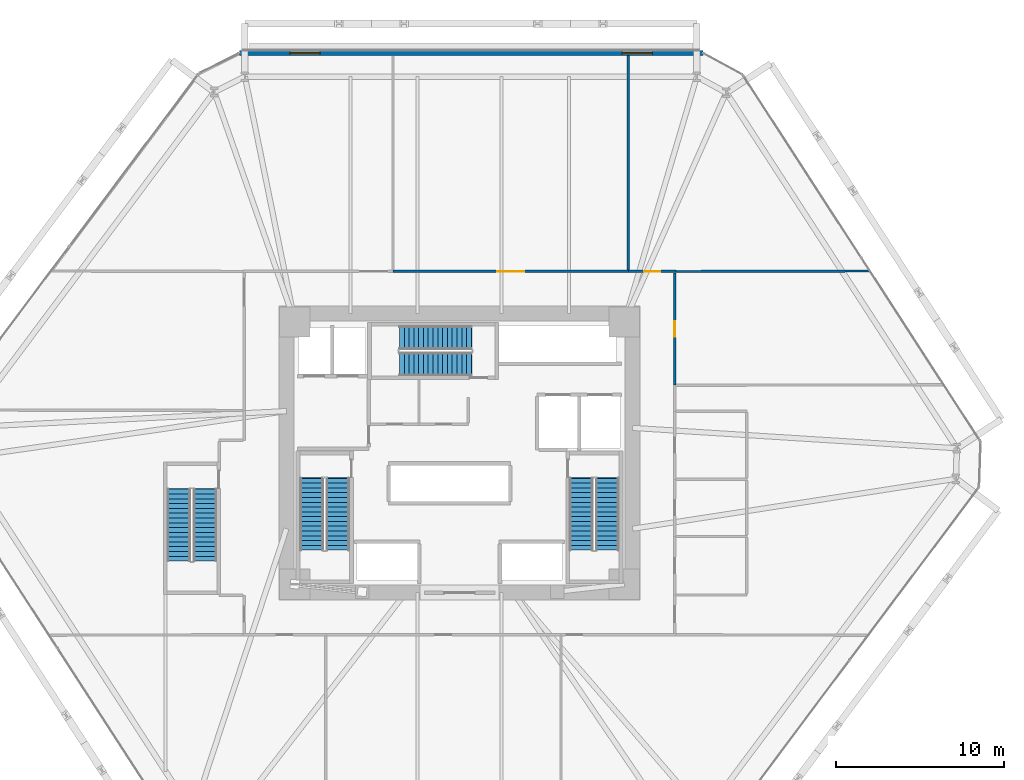
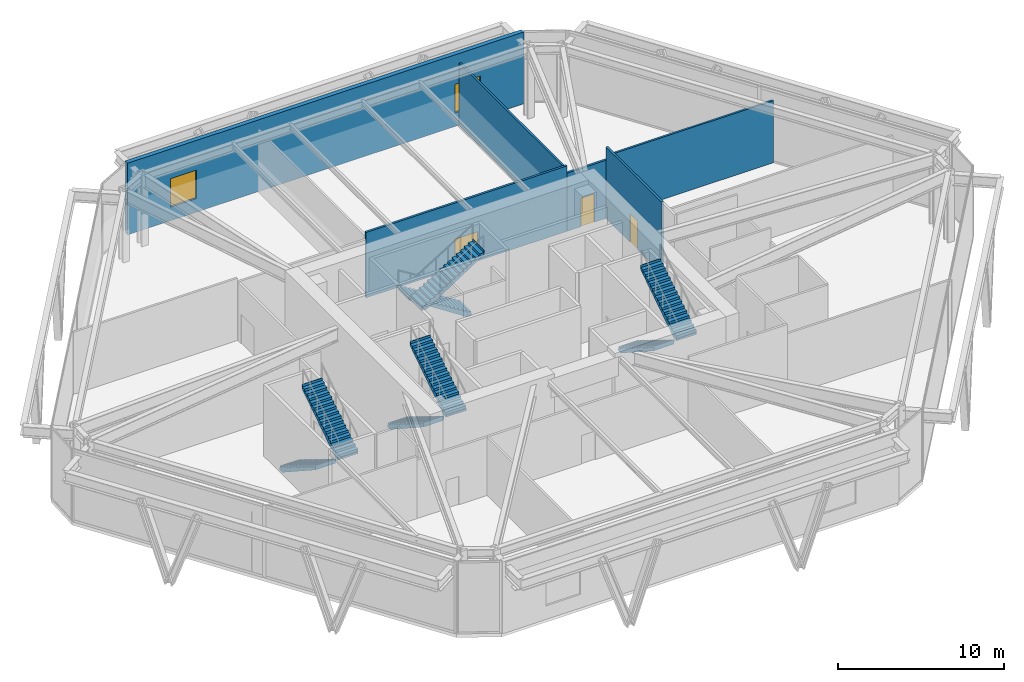
# One storey, part 16 of 19: 8 stair flights, 6 walls, 3 doors, 2 windows, 5 openings, 4 elements without a shape of their own.
"""IFC4 building model written with IfcOpenShell, lengths in metres."""

from ifc_helpers import new_model, si_unit, direction, frame, frame_2d, origin, place, context, subcontext, project, spatial, polyline, rectangle, outline, extrude, source, transform, mapped, material, layer, layer_set, type_object, type_shapes, element, fill, aggregate, save


model = new_model("IFC4")

# Units and contexts
model_context = context("Model", 3, precision=1e-05, world=origin(), true_north=direction((0.0, 1.0)))
body_context = subcontext(model_context, "Body", "Model", "MODEL_VIEW")
ifc_project = project(units=[si_unit("LENGTHUNIT", "METRE"), si_unit("AREAUNIT", "SQUARE_METRE"), si_unit("VOLUMEUNIT", "CUBIC_METRE"), si_unit("PLANEANGLEUNIT", "RADIAN"), si_unit("MASSUNIT", "GRAM", prefix="KILO")], contexts=[model_context])

# Site, building, storey
site_placement = place(None, origin())
site = spatial("IfcSite", under=ifc_project, at=site_placement, CompositionType="ELEMENT")
building_placement = place(site_placement, origin())
building = spatial("IfcBuilding", under=site, at=building_placement, Name="Durnholm Broadcast Tower", CompositionType="ELEMENT")
storey_placement = place(building_placement, frame((0.0, 0.0, 15.60009765625)))
storey = spatial("IfcBuildingStorey", under=building, at=storey_placement, Name="L03", CompositionType="ELEMENT", Elevation=15.60009765625)

# Wall, openings, windows
ifc_material_1 = material(Name="Precast Concrete C45/55", Category="concrete")
ifc_layer_1 = layer(ifc_material_1, 0.300048828125)
ifc_layer_set_1 = layer_set([ifc_layer_1], Name="Precast Concrete C45/55")
wall_type_1 = type_object("IfcWallType", Name="WALL-EXT-300", PredefinedType="SOLIDWALL", material=ifc_layer_set_1)
wall_1_placement = place(storey_placement, frame((-13.102783203125, 23.800048828125, 0.0), z_axis=(0.0, 0.0, 1.0), x_axis=(1.0, 0.0, 0.0)))
wall_1 = element("IfcWall", 1, at=wall_1_placement, inside=storey, type_object=wall_type_1, Name="L03 broadcast studio acoustic facade wall 04", PredefinedType="SOLIDWALL", context=body_context, shape_type="SweptSolid", body=[
    extrude(rectangle(XDim=27.577880859375, YDim=0.300048828125, at=frame_2d((13.7890625, 0.0))), origin(), (0.0, 0.0, 1.0), 5.27978515625),
])
opening_1_placement = place(wall_1_placement, frame((3.0, 0.0, 1.0)))
opening_1 = element("IfcOpeningElement", 2, at=opening_1_placement, cuts=wall_1, Name="Opening W2", PredefinedType="OPENING", context=body_context, shape_type="SweptSolid", body=[
    extrude(rectangle(XDim=1.800048828125, YDim=2.10009765625, at=frame_2d((0.89990234375, 1.050048828125))), frame((0.0, 0.16015625, 0.0), z_axis=(0.0, -1.0, 0.0), x_axis=(1.0, 0.0, 0.0)), (0.0, 0.0, 1.0), 0.320068359375),
])
opening_2_placement = place(wall_1_placement, frame((22.778076171875, 0.0, 1.0)))
opening_2 = element("IfcOpeningElement", 3, at=opening_2_placement, cuts=wall_1, Name="Opening W2", PredefinedType="OPENING", context=body_context, shape_type="SweptSolid", body=[
    extrude(rectangle(XDim=1.800048828125, YDim=2.10009765625, at=frame_2d((0.89990234375, 1.050048828125))), frame((0.0, 0.16015625, 0.0), z_axis=(0.0, -1.0, 0.0), x_axis=(1.0, 0.0, 0.0)), (0.0, 0.0, 1.0), 0.320068359375),
])
ifc_material_2 = material(Name="Thermally Broken Aluminium and Laminated Glass", Category="aluminium")
ifc_layer_2 = layer(ifc_material_2, 0.06005859375)
ifc_layer_set_2 = layer_set([ifc_layer_2], Name="Thermally Broken Aluminium and Laminated Glass")
window_type = type_object("IfcWindowType", Name="WIN-W2", PartitioningType="DOUBLE_PANEL_VERTICAL", PredefinedType="WINDOW", material=ifc_layer_set_2)
shared_shape_1 = source(origin(), body_context, "Body", "SweptSolid", [
    extrude(rectangle(XDim=1.800048828125, YDim=2.10009765625, at=frame_2d((0.89990234375, 1.050048828125))), frame((0.0, 0.030029296875, 0.0), z_axis=(0.0, -1.0, 0.0), x_axis=(1.0, 0.0, 0.0)), (0.0, 0.0, 1.0), 0.06005859375),
])
type_shapes(window_type, [shared_shape_1])
window_1_placement = place(opening_1_placement, origin())
window_1 = element("IfcWindow", 4, at=window_1_placement, inside=storey, type_object=window_type, Name="L03 studio acoustic window 04.1", OverallHeight=2.10009765625, OverallWidth=1.800048828125, PartitioningType="DOUBLE_PANEL_VERTICAL", PredefinedType="WINDOW", context=body_context, shape_type="MappedRepresentation", body=[
    mapped(shared_shape_1, transform((0.0, 0.0, 0.0), x_axis=(1.0, 0.0, 0.0), y_axis=(0.0, 1.0, 0.0), z_axis=(0.0, 0.0, 1.0), scale=1.0)),
])
fill(opening_1, window_1)
window_2_placement = place(opening_2_placement, origin())
window_2 = element("IfcWindow", 5, at=window_2_placement, inside=storey, type_object=window_type, Name="L03 studio acoustic window 04.2", OverallHeight=2.10009765625, OverallWidth=1.800048828125, PartitioningType="DOUBLE_PANEL_VERTICAL", PredefinedType="WINDOW", context=body_context, shape_type="MappedRepresentation", body=[
    mapped(shared_shape_1, transform((0.0, 0.0, 0.0), x_axis=(1.0, 0.0, 0.0), y_axis=(0.0, 1.0, 0.0), z_axis=(0.0, 0.0, 1.0), scale=1.0)),
])
fill(opening_2, window_2)

# Walls
ifc_material_3 = material(Name="Gypsum Metal Stud Partition", Category="concrete")
ifc_layer_3 = layer(ifc_material_3, 0.135009765625)
ifc_layer_set_3 = layer_set([ifc_layer_3], Name="Gypsum Metal Stud Partition")
wall_type_2 = type_object("IfcWallType", Name="WALL-PART-135", PredefinedType="PARTITIONING", material=ifc_layer_set_3)
wall_2_placement = place(storey_placement, frame((10.0400390625, 23.64501953125, 0.0), z_axis=(0.0, 0.0, 1.0), x_axis=(0.0, -1.0, 0.0)))
element("IfcWall", 6, at=wall_2_placement, inside=storey, type_object=wall_type_2, Name="L03 room dividing partition 7.8", PredefinedType="PARTITIONING", context=body_context, shape_type="SweptSolid", body=[
    extrude(rectangle(XDim=12.756103515625, YDim=0.135009765625, at=frame_2d((6.3779296875, 0.0))), origin(), (0.0, 0.0, 1.0), 4.573974609375),
])
wall_3_placement = place(storey_placement, frame((24.421630859375, 10.831787109375, 0.0), z_axis=(0.0, 0.0, 1.0), x_axis=(-0.999998264499, -0.001863061508, 0.0)))
element("IfcWall", 7, at=wall_3_placement, inside=storey, type_object=wall_type_2, Name="L03 room dividing partition 8.15", PredefinedType="PARTITIONING", context=body_context, shape_type="SweptSolid", body=[
    extrude(rectangle(XDim=11.53173828125, YDim=0.135009765625, at=frame_2d((5.765869140625, 0.0))), origin(), (0.0, 0.0, 1.0), 4.573974609375),
])

# Wall, opening, door
ifc_material_4 = material(Name="Acoustic Gypsum Stud Partition", Category="concrete")
ifc_layer_4 = layer(ifc_material_4, 0.14990234375)
ifc_layer_set_4 = layer_set([ifc_layer_4], Name="Acoustic Gypsum Stud Partition")
wall_type_3 = type_object("IfcWallType", Name="WALL-PART-150", PredefinedType="PARTITIONING", material=ifc_layer_set_4)
wall_4_placement = place(storey_placement, frame((10.0400390625, 10.81005859375, 0.0), z_axis=(0.0, 0.0, 1.0), x_axis=(-1.0, 0.0, 0.0)))
wall_4 = element("IfcWall", 8, at=wall_4_placement, inside=storey, type_object=wall_type_3, Name="L03 Broadcast Audience Auditorium 3B corridor partition", PredefinedType="PARTITIONING", context=body_context, shape_type="SweptSolid", body=[
    extrude(rectangle(XDim=14.0, YDim=0.14990234375, at=frame_2d((7.0, 0.0))), origin(), (0.0, 0.0, 1.0), 4.817626953125),
])
opening_3_placement = place(wall_4_placement, frame((6.199951171875, 0.0, 0.0)))
opening_3 = element("IfcOpeningElement", 9, at=opening_3_placement, cuts=wall_4, Name="Opening DST-160", PredefinedType="OPENING", context=body_context, shape_type="SweptSolid", body=[
    extrude(rectangle(XDim=1.60009765625, YDim=2.14990234375, at=frame_2d((0.800048828125, 1.074951171875))), frame((0.0, 0.0849609375, 0.0), z_axis=(0.0, -1.0, 0.0), x_axis=(1.0, 0.0, 0.0)), (0.0, 0.0, 1.0), 0.169921875),
])
ifc_material_5 = material(Name="Acoustic Broadcast Studio Sound-Lock Door", Category="steel")
ifc_layer_5 = layer(ifc_material_5, 0.050048828125)
ifc_layer_set_5 = layer_set([ifc_layer_5], Name="Acoustic Broadcast Studio Sound-Lock Door")
door_type_1 = type_object("IfcDoorType", Name="DOOR-STU-1600", OperationType="DOUBLE_DOOR_SINGLE_SWING", PredefinedType="DOOR", material=ifc_layer_set_5)
shared_shape_2 = source(origin(), body_context, "Body", "SweptSolid", [
    extrude(rectangle(XDim=1.60009765625, YDim=2.14990234375, at=frame_2d((0.800048828125, 1.074951171875))), frame((0.0, 0.02490234375, 0.0), z_axis=(0.0, -1.0, 0.0), x_axis=(1.0, 0.0, 0.0)), (0.0, 0.0, 1.0), 0.050048828125),
])
type_shapes(door_type_1, [shared_shape_2])
door_1_placement = place(opening_3_placement, origin())
door_1 = element("IfcDoor", 10, at=door_1_placement, inside=storey, type_object=door_type_1, Name="L03 Broadcast Audience Auditorium 3B entrance door", OperationType="DOUBLE_DOOR_SINGLE_SWING", OverallHeight=2.14990234375, OverallWidth=1.60009765625, PredefinedType="DOOR", context=body_context, shape_type="MappedRepresentation", body=[
    mapped(shared_shape_2, transform((0.0, 0.0, 0.0), x_axis=(1.0, 0.0, 0.0), y_axis=(0.0, 1.0, 0.0), z_axis=(0.0, 0.0, 1.0), scale=1.0)),
])
fill(opening_3, door_1)

wall_5_placement = place(storey_placement, frame((12.889892578125, 10.81005859375, 0.0), z_axis=(0.0, 0.0, 1.0), x_axis=(-1.0, 0.0, 0.0)))
wall_5 = element("IfcWall", 11, at=wall_5_placement, inside=storey, type_object=wall_type_3, Name="L03 Production Control Office corridor partition", PredefinedType="PARTITIONING", context=body_context, shape_type="SweptSolid", body=[
    extrude(rectangle(XDim=2.849853515625, YDim=0.14990234375, at=frame_2d((1.4248046875, 0.0))), origin(), (0.0, 0.0, 1.0), 4.284423828125),
])
opening_4_placement = place(wall_5_placement, frame((0.949951171875, 0.0, 0.0)))
opening_4 = element("IfcOpeningElement", 12, at=opening_4_placement, cuts=wall_5, Name="Opening DR-95L", PredefinedType="OPENING", context=body_context, shape_type="SweptSolid", body=[
    extrude(rectangle(XDim=0.949951171875, YDim=2.10009765625, at=frame_2d((0.47509765625, 1.050048828125))), frame((0.0, 0.0849609375, 0.0), z_axis=(0.0, -1.0, 0.0), x_axis=(1.0, 0.0, 0.0)), (0.0, 0.0, 1.0), 0.169921875),
])
ifc_material_6 = material(Name="Acoustic Oak Veneer Timber Door", Category="wood")
ifc_layer_6 = layer(ifc_material_6, 0.050048828125)
ifc_layer_set_6 = layer_set([ifc_layer_6], Name="Acoustic Oak Veneer Timber Door")
door_type_2 = type_object("IfcDoorType", Name="DOOR-RM-950L", OperationType="NOTDEFINED", PredefinedType="DOOR", material=ifc_layer_set_6)
shared_shape_3 = source(origin(), body_context, "Body", "SweptSolid", [
    extrude(rectangle(XDim=0.949951171875, YDim=2.10009765625, at=frame_2d((0.47509765625, 1.050048828125))), frame((0.0, 0.02490234375, 0.0), z_axis=(0.0, -1.0, 0.0), x_axis=(1.0, 0.0, 0.0)), (0.0, 0.0, 1.0), 0.050048828125),
])
type_shapes(door_type_2, [shared_shape_3])
door_2_placement = place(opening_4_placement, origin())
door_2 = element("IfcDoor", 13, at=door_2_placement, inside=storey, type_object=door_type_2, Name="L03 Production Control Office entrance door", OperationType="SINGLE_SWING_LEFT", OverallHeight=2.10009765625, OverallWidth=0.949951171875, PredefinedType="DOOR", context=body_context, shape_type="MappedRepresentation", body=[
    mapped(shared_shape_3, transform((0.0, 0.0, 0.0), x_axis=(1.0, 0.0, 0.0), y_axis=(0.0, 1.0, 0.0), z_axis=(0.0, 0.0, 1.0), scale=1.0)),
])
fill(opening_4, door_2)

wall_6_placement = place(storey_placement, frame((12.81005859375, 4.0400390625, 0.0), z_axis=(0.0, 0.0, 1.0), x_axis=(0.0, 1.0, 0.0)))
wall_6 = element("IfcWall", 14, at=wall_6_placement, inside=storey, type_object=wall_type_3, Name="L03 Production Control Office corridor partition", PredefinedType="PARTITIONING", context=body_context, shape_type="SweptSolid", body=[
    extrude(rectangle(XDim=6.69091796875, YDim=0.14990234375, at=frame_2d((3.345458984375, 0.0))), origin(), (0.0, 0.0, 1.0), 5.264892578125),
])
opening_5_placement = place(wall_6_placement, frame((2.885498046875, 0.0, 0.0)))
opening_5 = element("IfcOpeningElement", 15, at=opening_5_placement, cuts=wall_6, Name="Opening DR-92R", PredefinedType="OPENING", context=body_context, shape_type="SweptSolid", body=[
    extrude(rectangle(XDim=0.919921875, YDim=2.10009765625, at=frame_2d((0.4599609375, 1.050048828125))), frame((0.0, 0.0849609375, 0.0), z_axis=(0.0, -1.0, 0.0), x_axis=(1.0, 0.0, 0.0)), (0.0, 0.0, 1.0), 0.169921875),
])
ifc_material_7 = material(Name="Oak Veneer Office Door", Category="wood")
ifc_layer_7 = layer(ifc_material_7, 0.050048828125)
ifc_layer_set_7 = layer_set([ifc_layer_7], Name="Oak Veneer Office Door")
door_type_3 = type_object("IfcDoorType", Name="DOOR-RM-920R", OperationType="NOTDEFINED", PredefinedType="DOOR", material=ifc_layer_set_7)
shared_shape_4 = source(origin(), body_context, "Body", "SweptSolid", [
    extrude(rectangle(XDim=0.919921875, YDim=2.10009765625, at=frame_2d((0.4599609375, 1.050048828125))), frame((0.0, 0.02490234375, 0.0), z_axis=(0.0, -1.0, 0.0), x_axis=(1.0, 0.0, 0.0)), (0.0, 0.0, 1.0), 0.050048828125),
])
type_shapes(door_type_3, [shared_shape_4])
door_3_placement = place(opening_5_placement, origin())
door_3 = element("IfcDoor", 16, at=door_3_placement, inside=storey, type_object=door_type_3, Name="L03 Production Control Office entrance door", OperationType="SINGLE_SWING_RIGHT", OverallHeight=2.10009765625, OverallWidth=0.919921875, PredefinedType="DOOR", context=body_context, shape_type="MappedRepresentation", body=[
    mapped(shared_shape_4, transform((0.0, 0.0, 0.0), x_axis=(1.0, 0.0, 0.0), y_axis=(0.0, 1.0, 0.0), z_axis=(0.0, 0.0, 1.0), scale=1.0)),
])
fill(opening_5, door_3)

# Stair, stair flights
ifc_material_8 = material(Name="Concrete C50/60", Category="concrete")
stair_type = type_object("IfcStairType", Name="STAIR-DL-32R1750", PredefinedType="HALF_TURN_STAIR", material=ifc_material_8)
stair_1_placement = place(storey_placement, origin())
stair_1 = element("IfcStair", 17, at=stair_1_placement, inside=storey, type_object=stair_type, Name="L03 ST-1", PredefinedType="HALF_TURN_STAIR")
stair_flight_type = type_object("IfcStairFlightType", Name="FLIGHT-DL-32R1750", PredefinedType="STRAIGHT", material=ifc_material_8)
stair_flight_1_placement = place(storey_placement, frame((-8.800048828125, -1.5, 0.0), z_axis=(0.0, 0.0, 1.0), x_axis=(0.0, -1.0, 0.0)))
stair_flight_1 = element("IfcStairFlight", 18, at=stair_flight_1_placement, type_object=stair_flight_type, Name="ST-1 flight 1", NumberOfRisers=16, NumberOfTreads=15, PredefinedType="STRAIGHT", RiserHeight=0.175, TreadLength=0.285, context=body_context, shape_type="SweptSolid", body=[
    extrude(outline(polyline([(-0.0400390625, -0.14990234375), (-0.0400390625, 0.0), (0.0, 0.0), (0.0, 0.175048828125), (0.284912109375, 0.175048828125), (0.284912109375, 0.35009765625), (0.570068359375, 0.35009765625), (0.570068359375, 0.52490234375), (0.85498046875, 0.52490234375), (0.85498046875, 0.699951171875), (1.139892578125, 0.699951171875), (1.139892578125, 0.875), (1.425048828125, 0.875), (1.425048828125, 1.050048828125), (1.7099609375, 1.050048828125), (1.7099609375, 1.22509765625), (1.9951171875, 1.22509765625), (1.9951171875, 1.39990234375), (2.280029296875, 1.39990234375), (2.280029296875, 1.574951171875), (2.56494140625, 1.574951171875), (2.56494140625, 1.75), (2.85009765625, 1.75), (2.85009765625, 1.925048828125), (3.135009765625, 1.925048828125), (3.135009765625, 2.10009765625), (3.419921875, 2.10009765625), (3.419921875, 2.27490234375), (3.705078125, 2.27490234375), (3.705078125, 2.449951171875), (3.989990234375, 2.449951171875), (3.989990234375, 2.625), (4.27490234375, 2.625), (4.27490234375, 2.800048828125), (4.31494140625, 2.800048828125), (4.31494140625, 2.650146484375), (4.27490234375, 2.448974609375), (0.286376953125, -0.14990234375), (-0.0400390625, -0.14990234375)])), frame((0.0, 0.699951171875, 0.0), z_axis=(0.0, -1.0, 0.0), x_axis=(1.0, 0.0, 0.0)), (0.0, 0.0, 1.0), 1.39990234375),
])
stair_flight_2_placement = place(storey_placement, frame((-7.239990234375, -5.77490234375, 2.7998046875), z_axis=(0.0, 0.0, 1.0), x_axis=(0.0, 1.0, 0.0)))
stair_flight_2 = element("IfcStairFlight", 19, at=stair_flight_2_placement, type_object=stair_flight_type, Name="ST-1 flight 2", NumberOfRisers=16, NumberOfTreads=15, PredefinedType="STRAIGHT", RiserHeight=0.175, TreadLength=0.285, context=body_context, shape_type="SweptSolid", body=[
    extrude(outline(polyline([(-0.0400390625, -0.14990234375), (-0.0400390625, 0.0), (0.0, 0.0), (0.0, 0.175048828125), (0.284912109375, 0.175048828125), (0.284912109375, 0.35009765625), (0.570068359375, 0.35009765625), (0.570068359375, 0.52490234375), (0.85498046875, 0.52490234375), (0.85498046875, 0.699951171875), (1.139892578125, 0.699951171875), (1.139892578125, 0.875), (1.425048828125, 0.875), (1.425048828125, 1.050048828125), (1.7099609375, 1.050048828125), (1.7099609375, 1.22509765625), (1.9951171875, 1.22509765625), (1.9951171875, 1.39990234375), (2.280029296875, 1.39990234375), (2.280029296875, 1.574951171875), (2.56494140625, 1.574951171875), (2.56494140625, 1.75), (2.85009765625, 1.75), (2.85009765625, 1.925048828125), (3.135009765625, 1.925048828125), (3.135009765625, 2.10009765625), (3.419921875, 2.10009765625), (3.419921875, 2.27490234375), (3.705078125, 2.27490234375), (3.705078125, 2.449951171875), (3.989990234375, 2.449951171875), (3.989990234375, 2.625), (4.27490234375, 2.625), (4.27490234375, 2.800048828125), (4.31494140625, 2.800048828125), (4.31494140625, 2.650146484375), (4.27490234375, 2.448974609375), (0.286376953125, -0.14990234375), (-0.0400390625, -0.14990234375)])), frame((0.0, 0.699951171875, 0.0), z_axis=(0.0, -1.0, 0.0), x_axis=(1.0, 0.0, 0.0)), (0.0, 0.0, 1.0), 1.39990234375),
])
aggregate(stair_1, [stair_flight_1, stair_flight_2])

stair_2_placement = place(storey_placement, origin())
stair_2 = element("IfcStair", 20, at=stair_2_placement, inside=storey, type_object=stair_type, Name="L03 ST-2", PredefinedType="HALF_TURN_STAIR")
stair_flight_3_placement = place(storey_placement, frame((7.239990234375, -1.5, 0.0), z_axis=(0.0, 0.0, 1.0), x_axis=(0.0, -1.0, 0.0)))
stair_flight_3 = element("IfcStairFlight", 21, at=stair_flight_3_placement, type_object=stair_flight_type, Name="ST-2 flight 1", NumberOfRisers=16, NumberOfTreads=15, PredefinedType="STRAIGHT", RiserHeight=0.175, TreadLength=0.285, context=body_context, shape_type="SweptSolid", body=[
    extrude(outline(polyline([(-0.0400390625, -0.14990234375), (-0.0400390625, 0.0), (0.0, 0.0), (0.0, 0.175048828125), (0.284912109375, 0.175048828125), (0.284912109375, 0.35009765625), (0.570068359375, 0.35009765625), (0.570068359375, 0.52490234375), (0.85498046875, 0.52490234375), (0.85498046875, 0.699951171875), (1.139892578125, 0.699951171875), (1.139892578125, 0.875), (1.425048828125, 0.875), (1.425048828125, 1.050048828125), (1.7099609375, 1.050048828125), (1.7099609375, 1.22509765625), (1.9951171875, 1.22509765625), (1.9951171875, 1.39990234375), (2.280029296875, 1.39990234375), (2.280029296875, 1.574951171875), (2.56494140625, 1.574951171875), (2.56494140625, 1.75), (2.85009765625, 1.75), (2.85009765625, 1.925048828125), (3.135009765625, 1.925048828125), (3.135009765625, 2.10009765625), (3.419921875, 2.10009765625), (3.419921875, 2.27490234375), (3.705078125, 2.27490234375), (3.705078125, 2.449951171875), (3.989990234375, 2.449951171875), (3.989990234375, 2.625), (4.27490234375, 2.625), (4.27490234375, 2.800048828125), (4.31494140625, 2.800048828125), (4.31494140625, 2.650146484375), (4.27490234375, 2.448974609375), (0.286376953125, -0.14990234375), (-0.0400390625, -0.14990234375)])), frame((0.0, 0.699951171875, 0.0), z_axis=(0.0, -1.0, 0.0), x_axis=(1.0, 0.0, 0.0)), (0.0, 0.0, 1.0), 1.39990234375),
])
stair_flight_4_placement = place(storey_placement, frame((8.800048828125, -5.77490234375, 2.7998046875), z_axis=(0.0, 0.0, 1.0), x_axis=(0.0, 1.0, 0.0)))
stair_flight_4 = element("IfcStairFlight", 22, at=stair_flight_4_placement, type_object=stair_flight_type, Name="ST-2 flight 2", NumberOfRisers=16, NumberOfTreads=15, PredefinedType="STRAIGHT", RiserHeight=0.175, TreadLength=0.285, context=body_context, shape_type="SweptSolid", body=[
    extrude(outline(polyline([(-0.0400390625, -0.14990234375), (-0.0400390625, 0.0), (0.0, 0.0), (0.0, 0.175048828125), (0.284912109375, 0.175048828125), (0.284912109375, 0.35009765625), (0.570068359375, 0.35009765625), (0.570068359375, 0.52490234375), (0.85498046875, 0.52490234375), (0.85498046875, 0.699951171875), (1.139892578125, 0.699951171875), (1.139892578125, 0.875), (1.425048828125, 0.875), (1.425048828125, 1.050048828125), (1.7099609375, 1.050048828125), (1.7099609375, 1.22509765625), (1.9951171875, 1.22509765625), (1.9951171875, 1.39990234375), (2.280029296875, 1.39990234375), (2.280029296875, 1.574951171875), (2.56494140625, 1.574951171875), (2.56494140625, 1.75), (2.85009765625, 1.75), (2.85009765625, 1.925048828125), (3.135009765625, 1.925048828125), (3.135009765625, 2.10009765625), (3.419921875, 2.10009765625), (3.419921875, 2.27490234375), (3.705078125, 2.27490234375), (3.705078125, 2.449951171875), (3.989990234375, 2.449951171875), (3.989990234375, 2.625), (4.27490234375, 2.625), (4.27490234375, 2.800048828125), (4.31494140625, 2.800048828125), (4.31494140625, 2.650146484375), (4.27490234375, 2.448974609375), (0.286376953125, -0.14990234375), (-0.0400390625, -0.14990234375)])), frame((0.0, 0.699951171875, 0.0), z_axis=(0.0, -1.0, 0.0), x_axis=(1.0, 0.0, 0.0)), (0.0, 0.0, 1.0), 1.39990234375),
])
aggregate(stair_2, [stair_flight_3, stair_flight_4])

stair_3_placement = place(storey_placement, origin())
stair_3 = element("IfcStair", 23, at=stair_3_placement, inside=storey, type_object=stair_type, Name="L03 ST-3", PredefinedType="HALF_TURN_STAIR")
stair_flight_5_placement = place(storey_placement, frame((0.699951171875, 6.860107421875, 0.0), z_axis=(0.0, 0.0, 1.0), x_axis=(-1.0, 0.0, 0.0)))
stair_flight_5 = element("IfcStairFlight", 24, at=stair_flight_5_placement, type_object=stair_flight_type, Name="ST-3 flight 1", NumberOfRisers=16, NumberOfTreads=15, PredefinedType="STRAIGHT", RiserHeight=0.175, TreadLength=0.285, context=body_context, shape_type="SweptSolid", body=[
    extrude(outline(polyline([(-0.0400390625, -0.14990234375), (-0.0400390625, 0.0), (0.0, 0.0), (0.0, 0.175048828125), (0.284912109375, 0.175048828125), (0.284912109375, 0.35009765625), (0.570068359375, 0.35009765625), (0.570068359375, 0.52490234375), (0.85498046875, 0.52490234375), (0.85498046875, 0.699951171875), (1.139892578125, 0.699951171875), (1.139892578125, 0.875), (1.425048828125, 0.875), (1.425048828125, 1.050048828125), (1.7099609375, 1.050048828125), (1.7099609375, 1.22509765625), (1.9951171875, 1.22509765625), (1.9951171875, 1.39990234375), (2.280029296875, 1.39990234375), (2.280029296875, 1.574951171875), (2.56494140625, 1.574951171875), (2.56494140625, 1.75), (2.85009765625, 1.75), (2.85009765625, 1.925048828125), (3.135009765625, 1.925048828125), (3.135009765625, 2.10009765625), (3.419921875, 2.10009765625), (3.419921875, 2.27490234375), (3.705078125, 2.27490234375), (3.705078125, 2.449951171875), (3.989990234375, 2.449951171875), (3.989990234375, 2.625), (4.27490234375, 2.625), (4.27490234375, 2.800048828125), (4.31494140625, 2.800048828125), (4.31494140625, 2.650146484375), (4.27490234375, 2.448974609375), (0.286376953125, -0.14990234375), (-0.0400390625, -0.14990234375)])), frame((0.0, 0.699951171875, 0.0), z_axis=(0.0, -1.0, 0.0), x_axis=(1.0, 0.0, 0.0)), (0.0, 0.0, 1.0), 1.39990234375),
])
stair_flight_6_placement = place(storey_placement, frame((-3.574951171875, 5.300048828125, 2.7998046875), z_axis=(0.0, 0.0, 1.0), x_axis=(1.0, 0.0, 0.0)))
stair_flight_6 = element("IfcStairFlight", 25, at=stair_flight_6_placement, type_object=stair_flight_type, Name="ST-3 flight 2", NumberOfRisers=16, NumberOfTreads=15, PredefinedType="STRAIGHT", RiserHeight=0.175, TreadLength=0.285, context=body_context, shape_type="SweptSolid", body=[
    extrude(outline(polyline([(-0.0400390625, -0.14990234375), (-0.0400390625, 0.0), (0.0, 0.0), (0.0, 0.175048828125), (0.284912109375, 0.175048828125), (0.284912109375, 0.35009765625), (0.570068359375, 0.35009765625), (0.570068359375, 0.52490234375), (0.85498046875, 0.52490234375), (0.85498046875, 0.699951171875), (1.139892578125, 0.699951171875), (1.139892578125, 0.875), (1.425048828125, 0.875), (1.425048828125, 1.050048828125), (1.7099609375, 1.050048828125), (1.7099609375, 1.22509765625), (1.9951171875, 1.22509765625), (1.9951171875, 1.39990234375), (2.280029296875, 1.39990234375), (2.280029296875, 1.574951171875), (2.56494140625, 1.574951171875), (2.56494140625, 1.75), (2.85009765625, 1.75), (2.85009765625, 1.925048828125), (3.135009765625, 1.925048828125), (3.135009765625, 2.10009765625), (3.419921875, 2.10009765625), (3.419921875, 2.27490234375), (3.705078125, 2.27490234375), (3.705078125, 2.449951171875), (3.989990234375, 2.449951171875), (3.989990234375, 2.625), (4.27490234375, 2.625), (4.27490234375, 2.800048828125), (4.31494140625, 2.800048828125), (4.31494140625, 2.650146484375), (4.27490234375, 2.448974609375), (0.286376953125, -0.14990234375), (-0.0400390625, -0.14990234375)])), frame((0.0, 0.699951171875, 0.0), z_axis=(0.0, -1.0, 0.0), x_axis=(1.0, 0.0, 0.0)), (0.0, 0.0, 1.0), 1.39990234375),
])
aggregate(stair_3, [stair_flight_5, stair_flight_6])

stair_4_placement = place(storey_placement, origin())
stair_4 = element("IfcStair", 26, at=stair_4_placement, inside=storey, type_object=stair_type, Name="L03 ST-4", PredefinedType="HALF_TURN_STAIR")
stair_flight_7_placement = place(storey_placement, frame((-16.699951171875, -2.14990234375, 0.0), z_axis=(0.0, 0.0, 1.0), x_axis=(0.0, -1.0, 0.0)))
stair_flight_7 = element("IfcStairFlight", 27, at=stair_flight_7_placement, type_object=stair_flight_type, Name="ST-4 flight 1", NumberOfRisers=16, NumberOfTreads=15, PredefinedType="STRAIGHT", RiserHeight=0.175, TreadLength=0.285, context=body_context, shape_type="SweptSolid", body=[
    extrude(outline(polyline([(-0.0400390625, -0.14990234375), (-0.0400390625, 0.0), (0.0, 0.0), (0.0, 0.175048828125), (0.284912109375, 0.175048828125), (0.284912109375, 0.35009765625), (0.570068359375, 0.35009765625), (0.570068359375, 0.52490234375), (0.85498046875, 0.52490234375), (0.85498046875, 0.699951171875), (1.139892578125, 0.699951171875), (1.139892578125, 0.875), (1.425048828125, 0.875), (1.425048828125, 1.050048828125), (1.7099609375, 1.050048828125), (1.7099609375, 1.22509765625), (1.9951171875, 1.22509765625), (1.9951171875, 1.39990234375), (2.280029296875, 1.39990234375), (2.280029296875, 1.574951171875), (2.56494140625, 1.574951171875), (2.56494140625, 1.75), (2.85009765625, 1.75), (2.85009765625, 1.925048828125), (3.135009765625, 1.925048828125), (3.135009765625, 2.10009765625), (3.419921875, 2.10009765625), (3.419921875, 2.27490234375), (3.705078125, 2.27490234375), (3.705078125, 2.449951171875), (3.989990234375, 2.449951171875), (3.989990234375, 2.625), (4.27490234375, 2.625), (4.27490234375, 2.800048828125), (4.31494140625, 2.800048828125), (4.31494140625, 2.650146484375), (4.27490234375, 2.448974609375), (0.286376953125, -0.14990234375), (-0.0400390625, -0.14990234375)])), frame((0.0, 0.699951171875, 0.0), z_axis=(0.0, -1.0, 0.0), x_axis=(1.0, 0.0, 0.0)), (0.0, 0.0, 1.0), 1.39990234375),
])
stair_flight_8_placement = place(storey_placement, frame((-15.139892578125, -6.425048828125, 2.7998046875), z_axis=(0.0, 0.0, 1.0), x_axis=(0.0, 1.0, 0.0)))
stair_flight_8 = element("IfcStairFlight", 28, at=stair_flight_8_placement, type_object=stair_flight_type, Name="ST-4 flight 2", NumberOfRisers=16, NumberOfTreads=15, PredefinedType="STRAIGHT", RiserHeight=0.175, TreadLength=0.285, context=body_context, shape_type="SweptSolid", body=[
    extrude(outline(polyline([(-0.0400390625, -0.14990234375), (-0.0400390625, 0.0), (0.0, 0.0), (0.0, 0.175048828125), (0.284912109375, 0.175048828125), (0.284912109375, 0.35009765625), (0.570068359375, 0.35009765625), (0.570068359375, 0.52490234375), (0.85498046875, 0.52490234375), (0.85498046875, 0.699951171875), (1.139892578125, 0.699951171875), (1.139892578125, 0.875), (1.425048828125, 0.875), (1.425048828125, 1.050048828125), (1.7099609375, 1.050048828125), (1.7099609375, 1.22509765625), (1.9951171875, 1.22509765625), (1.9951171875, 1.39990234375), (2.280029296875, 1.39990234375), (2.280029296875, 1.574951171875), (2.56494140625, 1.574951171875), (2.56494140625, 1.75), (2.85009765625, 1.75), (2.85009765625, 1.925048828125), (3.135009765625, 1.925048828125), (3.135009765625, 2.10009765625), (3.419921875, 2.10009765625), (3.419921875, 2.27490234375), (3.705078125, 2.27490234375), (3.705078125, 2.449951171875), (3.989990234375, 2.449951171875), (3.989990234375, 2.625), (4.27490234375, 2.625), (4.27490234375, 2.800048828125), (4.31494140625, 2.800048828125), (4.31494140625, 2.650146484375), (4.27490234375, 2.448974609375), (0.286376953125, -0.14990234375), (-0.0400390625, -0.14990234375)])), frame((0.0, 0.699951171875, 0.0), z_axis=(0.0, -1.0, 0.0), x_axis=(1.0, 0.0, 0.0)), (0.0, 0.0, 1.0), 1.39990234375),
])
aggregate(stair_4, [stair_flight_7, stair_flight_8])

save(model, "model.ifc")
